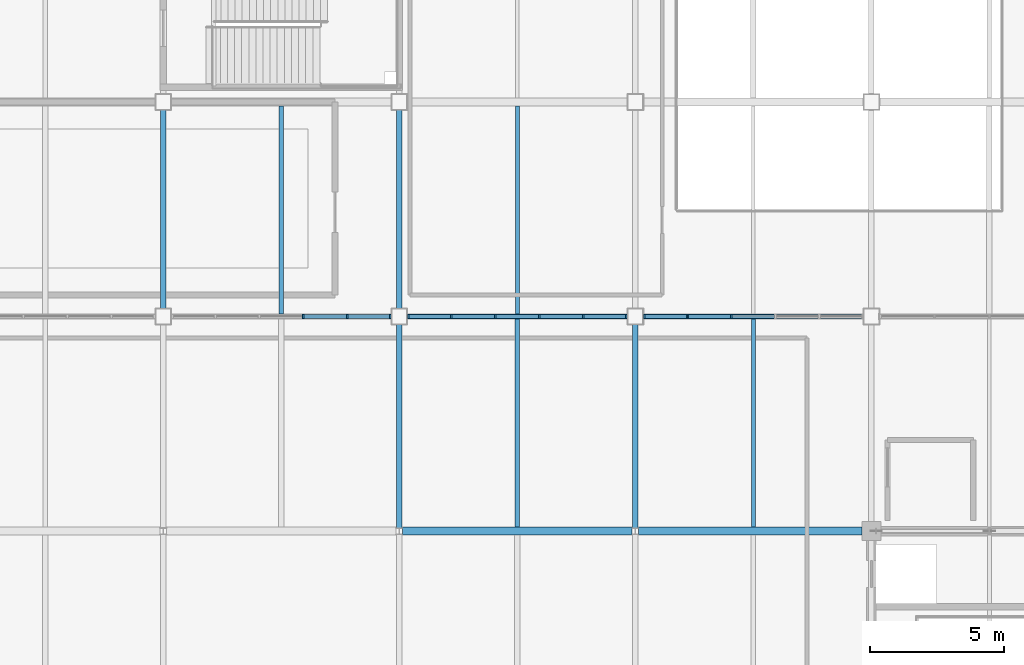
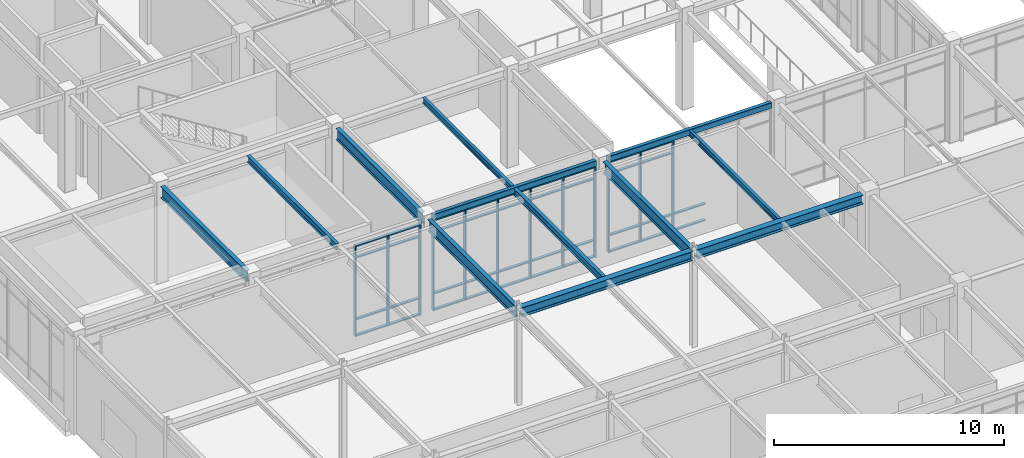
# One storey, part 29 of 184: 50 members, 12 beams, 3 elements without a shape of their own.
"""IFC4 building model written with IfcOpenShell, lengths in metres."""

from ifc_helpers import new_model, si_unit, direction, frame, origin, origin_2d, place, context, subcontext, project, spatial, rectangle, hollow_rectangle, i_section, extrude, material, material_profile, profile_set, type_object, element, aggregate, save


model = new_model("IFC4")

# Units and contexts
model_context = context("Model", 3, precision=1e-05, world=origin(), true_north=direction((0.0, 1.0)))
body_context = subcontext(model_context, "Body", "Model", "MODEL_VIEW")
ifc_project = project(units=[si_unit("LENGTHUNIT", "METRE"), si_unit("AREAUNIT", "SQUARE_METRE"), si_unit("VOLUMEUNIT", "CUBIC_METRE"), si_unit("PLANEANGLEUNIT", "RADIAN"), si_unit("MASSUNIT", "GRAM", prefix="KILO")], contexts=[model_context])

# Site, building, storey
site_placement = place(None, origin())
site = spatial("IfcSite", under=ifc_project, at=site_placement, CompositionType="ELEMENT")
building_placement = place(site_placement, origin())
building = spatial("IfcBuilding", under=site, at=building_placement, Name="Zhaolan Boulevard Law Courts", CompositionType="ELEMENT")
storey_placement = place(building_placement, frame((0.0, 0.0, 5.39990234375)))
storey = spatial("IfcBuildingStorey", under=building, at=storey_placement, Name="L01", CompositionType="ELEMENT", Elevation=5.39990234375)

# Curtain wall, members
ifc_material_1 = material(Name="Thermally broken aluminium and low-E glazing", Category="aluminium")
curtain_wall_type_1 = type_object("IfcCurtainWallType", Name="CURTAIN WALL M20", PredefinedType="USERDEFINED", material=ifc_material_1)
curtain_wall_1_placement = place(storey_placement, origin())
curtain_wall_1 = element("IfcCurtainWall", 1, at=curtain_wall_1_placement, inside=storey, type_object=curtain_wall_type_1, Name="Curtain Wall CW-L01-044", ObjectType="CURTAIN WALL", PredefinedType="USERDEFINED")
ifc_material_2 = material(Name="Fluorocarbon-coated aluminium 6063-T6", Category="aluminium")
ifc_material_profile_1 = material_profile(ifc_material_2, rectangle(XDim=0.179931640625, YDim=0.06494140625, at=origin_2d()), Name="AL65x180")
ifc_profile_set_1 = profile_set([ifc_material_profile_1], Name="Fluorocarbon-coated aluminium 6063-T6")
member_type_1 = type_object("IfcMemberType", Name="CWMULLION 65X180", PredefinedType="MULLION", material=ifc_profile_set_1)
member_1_placement = place(storey_placement, frame((17.265380859375, 30.0, 0.0), z_axis=(0.0, 0.0, 1.0), x_axis=(0.0, -1.0, 0.0)))
member_1 = element("IfcMember", 2, at=member_1_placement, type_object=member_type_1, Name="CW-L01-044 mullion 1", PredefinedType="MULLION", context=body_context, shape_type="SweptSolid", body=[
    extrude(rectangle(XDim=0.179931640625, YDim=0.06494140625, at=origin_2d()), origin(), (0.0, 0.0, 1.0), 4.822998046875),
])
member_2_placement = place(storey_placement, frame((15.65869140625, 30.0, 0.0), z_axis=(0.0, 0.0, 1.0), x_axis=(0.0, -1.0, 0.0)))
member_2 = element("IfcMember", 3, at=member_2_placement, type_object=member_type_1, Name="CW-L01-044 mullion 2", PredefinedType="MULLION", context=body_context, shape_type="SweptSolid", body=[
    extrude(rectangle(XDim=0.179931640625, YDim=0.06494140625, at=origin_2d()), origin(), (0.0, 0.0, 1.0), 4.822998046875),
])
member_3_placement = place(storey_placement, frame((14.01953125, 30.0, 0.0), z_axis=(0.0, 0.0, 1.0), x_axis=(0.0, -1.0, 0.0)))
member_3 = element("IfcMember", 4, at=member_3_placement, type_object=member_type_1, Name="CW-L01-044 mullion 3", PredefinedType="MULLION", context=body_context, shape_type="SweptSolid", body=[
    extrude(rectangle(XDim=0.179931640625, YDim=0.06494140625, at=origin_2d()), origin(), (0.0, 0.0, 1.0), 4.822998046875),
])

ifc_material_3 = material(Name="Thermally broken aluminium and low-E glazing", Category="aluminium")
curtain_wall_type_2 = type_object("IfcCurtainWallType", Name="CURTAIN WALL M21", PredefinedType="USERDEFINED", material=ifc_material_3)
curtain_wall_2_placement = place(storey_placement, origin())
curtain_wall_2 = element("IfcCurtainWall", 5, at=curtain_wall_2_placement, inside=storey, type_object=curtain_wall_type_2, Name="Curtain Wall CW-L01-045", ObjectType="CURTAIN WALL", PredefinedType="USERDEFINED")
member_4_placement = place(storey_placement, frame((26.0654296875, 30.0, 0.0), z_axis=(0.0, 0.0, 1.0), x_axis=(0.0, -1.0, 0.0)))
member_4 = element("IfcMember", 6, at=member_4_placement, type_object=member_type_1, Name="CW-L01-045 mullion 1", PredefinedType="MULLION", context=body_context, shape_type="SweptSolid", body=[
    extrude(rectangle(XDim=0.179931640625, YDim=0.06494140625, at=origin_2d()), origin(), (0.0, 0.0, 1.0), 4.822998046875),
])
member_5_placement = place(storey_placement, frame((24.458740234375, 30.0, 0.0), z_axis=(0.0, 0.0, 1.0), x_axis=(0.0, -1.0, 0.0)))
member_5 = element("IfcMember", 7, at=member_5_placement, type_object=member_type_1, Name="CW-L01-045 mullion 2", PredefinedType="MULLION", context=body_context, shape_type="SweptSolid", body=[
    extrude(rectangle(XDim=0.179931640625, YDim=0.06494140625, at=origin_2d()), origin(), (0.0, 0.0, 1.0), 4.822998046875),
])
member_6_placement = place(storey_placement, frame((22.819580078125, 30.0, 0.0), z_axis=(0.0, 0.0, 1.0), x_axis=(0.0, -1.0, 0.0)))
member_6 = element("IfcMember", 8, at=member_6_placement, type_object=member_type_1, Name="CW-L01-045 mullion 3", PredefinedType="MULLION", context=body_context, shape_type="SweptSolid", body=[
    extrude(rectangle(XDim=0.179931640625, YDim=0.06494140625, at=origin_2d()), origin(), (0.0, 0.0, 1.0), 4.822998046875),
])
member_7_placement = place(storey_placement, frame((21.180419921875, 30.0, 0.0), z_axis=(0.0, 0.0, 1.0), x_axis=(0.0, -1.0, 0.0)))
member_7 = element("IfcMember", 9, at=member_7_placement, type_object=member_type_1, Name="CW-L01-045 mullion 4", PredefinedType="MULLION", context=body_context, shape_type="SweptSolid", body=[
    extrude(rectangle(XDim=0.179931640625, YDim=0.06494140625, at=origin_2d()), origin(), (0.0, 0.0, 1.0), 4.822998046875),
])
member_8_placement = place(storey_placement, frame((19.541259765625, 30.0, 0.0), z_axis=(0.0, 0.0, 1.0), x_axis=(0.0, -1.0, 0.0)))
member_8 = element("IfcMember", 10, at=member_8_placement, type_object=member_type_1, Name="CW-L01-045 mullion 5", PredefinedType="MULLION", context=body_context, shape_type="SweptSolid", body=[
    extrude(rectangle(XDim=0.179931640625, YDim=0.06494140625, at=origin_2d()), origin(), (0.0, 0.0, 1.0), 4.822998046875),
])
member_9_placement = place(storey_placement, frame((17.9345703125, 30.0, 0.0), z_axis=(0.0, 0.0, 1.0), x_axis=(0.0, -1.0, 0.0)))
member_9 = element("IfcMember", 11, at=member_9_placement, type_object=member_type_1, Name="CW-L01-045 mullion 6", PredefinedType="MULLION", context=body_context, shape_type="SweptSolid", body=[
    extrude(rectangle(XDim=0.179931640625, YDim=0.06494140625, at=origin_2d()), origin(), (0.0, 0.0, 1.0), 4.822998046875),
])

ifc_material_4 = material(Name="Thermally broken aluminium and low-E glazing", Category="aluminium")
curtain_wall_type_3 = type_object("IfcCurtainWallType", Name="CURTAIN WALL M22", PredefinedType="USERDEFINED", material=ifc_material_4)
curtain_wall_3_placement = place(storey_placement, origin())
curtain_wall_3 = element("IfcCurtainWall", 12, at=curtain_wall_3_placement, inside=storey, type_object=curtain_wall_type_3, Name="Curtain Wall CW-L01-046", ObjectType="CURTAIN WALL", PredefinedType="USERDEFINED")
member_10_placement = place(storey_placement, frame((29.98046875, 30.0, 0.0), z_axis=(0.0, 0.0, 1.0), x_axis=(0.0, -1.0, 0.0)))
member_10 = element("IfcMember", 13, at=member_10_placement, type_object=member_type_1, Name="CW-L01-046 mullion 4", PredefinedType="MULLION", context=body_context, shape_type="SweptSolid", body=[
    extrude(rectangle(XDim=0.179931640625, YDim=0.06494140625, at=origin_2d()), origin(), (0.0, 0.0, 1.0), 4.822998046875),
])
member_11_placement = place(storey_placement, frame((28.34130859375, 30.0, 0.0), z_axis=(0.0, 0.0, 1.0), x_axis=(0.0, -1.0, 0.0)))
member_11 = element("IfcMember", 14, at=member_11_placement, type_object=member_type_1, Name="CW-L01-046 mullion 5", PredefinedType="MULLION", context=body_context, shape_type="SweptSolid", body=[
    extrude(rectangle(XDim=0.179931640625, YDim=0.06494140625, at=origin_2d()), origin(), (0.0, 0.0, 1.0), 4.822998046875),
])
member_12_placement = place(storey_placement, frame((26.734619140625, 30.0, 0.0), z_axis=(0.0, 0.0, 1.0), x_axis=(0.0, -1.0, 0.0)))
member_12 = element("IfcMember", 15, at=member_12_placement, type_object=member_type_1, Name="CW-L01-046 mullion 6", PredefinedType="MULLION", context=body_context, shape_type="SweptSolid", body=[
    extrude(rectangle(XDim=0.179931640625, YDim=0.06494140625, at=origin_2d()), origin(), (0.0, 0.0, 1.0), 4.822998046875),
])

# Member
ifc_material_5 = material(Name="Fluorocarbon-coated aluminium 6063-T6", Category="aluminium")
ifc_material_profile_2 = material_profile(ifc_material_5, rectangle(XDim=0.139892578125, YDim=0.06494140625, at=origin_2d()), Name="AL65x140")
ifc_profile_set_2 = profile_set([ifc_material_profile_2], Name="Fluorocarbon-coated aluminium 6063-T6")
member_type_2 = type_object("IfcMemberType", Name="CWTRANSOM 65X140", PredefinedType="USERDEFINED", material=ifc_profile_set_2)
member_13_placement = place(storey_placement, frame((17.23291015625, 30.0, 0.03271484375), z_axis=(-1.0, 0.0, 0.0), x_axis=(0.0, -1.0, 0.0)))
member_13 = element("IfcMember", 16, at=member_13_placement, type_object=member_type_2, Name="CW-L01-044 transom 1.1", ObjectType="TRANSOM", PredefinedType="USERDEFINED", context=body_context, shape_type="SweptSolid", body=[
    extrude(rectangle(XDim=0.139892578125, YDim=0.06494140625, at=origin_2d()), origin(), (0.0, 0.0, 1.0), 1.54150390625),
])

member_14_placement = place(storey_placement, frame((17.23291015625, 30.0, 0.900146484375), z_axis=(-1.0, 0.0, 0.0), x_axis=(0.0, -1.0, 0.0)))
member_14 = element("IfcMember", 17, at=member_14_placement, type_object=member_type_2, Name="CW-L01-044 transom 1.2", ObjectType="TRANSOM", PredefinedType="USERDEFINED", context=body_context, shape_type="SweptSolid", body=[
    extrude(rectangle(XDim=0.139892578125, YDim=0.06494140625, at=origin_2d()), origin(), (0.0, 0.0, 1.0), 1.54150390625),
])

member_15_placement = place(storey_placement, frame((17.23291015625, 30.0, 4.173095703125), z_axis=(-1.0, 0.0, 0.0), x_axis=(0.0, -1.0, 0.0)))
member_15 = element("IfcMember", 18, at=member_15_placement, type_object=member_type_2, Name="CW-L01-044 transom 1.3", ObjectType="TRANSOM", PredefinedType="USERDEFINED", context=body_context, shape_type="SweptSolid", body=[
    extrude(rectangle(XDim=0.139892578125, YDim=0.06494140625, at=origin_2d()), origin(), (0.0, 0.0, 1.0), 1.54150390625),
])

member_16_placement = place(storey_placement, frame((17.23291015625, 30.0, 4.79052734375), z_axis=(-1.0, 0.0, 0.0), x_axis=(0.0, -1.0, 0.0)))
member_16 = element("IfcMember", 19, at=member_16_placement, type_object=member_type_2, Name="CW-L01-044 transom 1.4", ObjectType="TRANSOM", PredefinedType="USERDEFINED", context=body_context, shape_type="SweptSolid", body=[
    extrude(rectangle(XDim=0.139892578125, YDim=0.06494140625, at=origin_2d()), origin(), (0.0, 0.0, 1.0), 1.54150390625),
])

member_17_placement = place(storey_placement, frame((15.626220703125, 30.0, 0.03271484375), z_axis=(-1.0, 0.0, 0.0), x_axis=(0.0, -1.0, 0.0)))
member_17 = element("IfcMember", 20, at=member_17_placement, type_object=member_type_2, Name="CW-L01-044 transom 2.1", ObjectType="TRANSOM", PredefinedType="USERDEFINED", context=body_context, shape_type="SweptSolid", body=[
    extrude(rectangle(XDim=0.139892578125, YDim=0.06494140625, at=origin_2d()), origin(), (0.0, 0.0, 1.0), 1.57421875),
])

member_18_placement = place(storey_placement, frame((15.626220703125, 30.0, 0.900146484375), z_axis=(-1.0, 0.0, 0.0), x_axis=(0.0, -1.0, 0.0)))
member_18 = element("IfcMember", 21, at=member_18_placement, type_object=member_type_2, Name="CW-L01-044 transom 2.2", ObjectType="TRANSOM", PredefinedType="USERDEFINED", context=body_context, shape_type="SweptSolid", body=[
    extrude(rectangle(XDim=0.139892578125, YDim=0.06494140625, at=origin_2d()), origin(), (0.0, 0.0, 1.0), 1.57421875),
])

member_19_placement = place(storey_placement, frame((15.626220703125, 30.0, 4.173095703125), z_axis=(-1.0, 0.0, 0.0), x_axis=(0.0, -1.0, 0.0)))
member_19 = element("IfcMember", 22, at=member_19_placement, type_object=member_type_2, Name="CW-L01-044 transom 2.3", ObjectType="TRANSOM", PredefinedType="USERDEFINED", context=body_context, shape_type="SweptSolid", body=[
    extrude(rectangle(XDim=0.139892578125, YDim=0.06494140625, at=origin_2d()), origin(), (0.0, 0.0, 1.0), 1.57421875),
])

member_20_placement = place(storey_placement, frame((15.626220703125, 30.0, 4.79052734375), z_axis=(-1.0, 0.0, 0.0), x_axis=(0.0, -1.0, 0.0)))
member_20 = element("IfcMember", 23, at=member_20_placement, type_object=member_type_2, Name="CW-L01-044 transom 2.4", ObjectType="TRANSOM", PredefinedType="USERDEFINED", context=body_context, shape_type="SweptSolid", body=[
    extrude(rectangle(XDim=0.139892578125, YDim=0.06494140625, at=origin_2d()), origin(), (0.0, 0.0, 1.0), 1.57421875),
])

aggregate(curtain_wall_1, [member_1, member_2, member_3, member_13, member_14, member_15, member_16, member_17, member_18, member_19, member_20])

member_21_placement = place(storey_placement, frame((26.032958984375, 30.0, 0.03271484375), z_axis=(-1.0, 0.0, 0.0), x_axis=(0.0, -1.0, 0.0)))
member_21 = element("IfcMember", 24, at=member_21_placement, type_object=member_type_2, Name="CW-L01-045 transom 1.1", ObjectType="TRANSOM", PredefinedType="USERDEFINED", context=body_context, shape_type="SweptSolid", body=[
    extrude(rectangle(XDim=0.139892578125, YDim=0.06494140625, at=origin_2d()), origin(), (0.0, 0.0, 1.0), 1.541748046875),
])

member_22_placement = place(storey_placement, frame((26.032958984375, 30.0, 0.900146484375), z_axis=(-1.0, 0.0, 0.0), x_axis=(0.0, -1.0, 0.0)))
member_22 = element("IfcMember", 25, at=member_22_placement, type_object=member_type_2, Name="CW-L01-045 transom 1.2", ObjectType="TRANSOM", PredefinedType="USERDEFINED", context=body_context, shape_type="SweptSolid", body=[
    extrude(rectangle(XDim=0.139892578125, YDim=0.06494140625, at=origin_2d()), origin(), (0.0, 0.0, 1.0), 1.541748046875),
])

member_23_placement = place(storey_placement, frame((26.032958984375, 30.0, 4.173095703125), z_axis=(-1.0, 0.0, 0.0), x_axis=(0.0, -1.0, 0.0)))
member_23 = element("IfcMember", 26, at=member_23_placement, type_object=member_type_2, Name="CW-L01-045 transom 1.3", ObjectType="TRANSOM", PredefinedType="USERDEFINED", context=body_context, shape_type="SweptSolid", body=[
    extrude(rectangle(XDim=0.139892578125, YDim=0.06494140625, at=origin_2d()), origin(), (0.0, 0.0, 1.0), 1.541748046875),
])

member_24_placement = place(storey_placement, frame((26.032958984375, 30.0, 4.79052734375), z_axis=(-1.0, 0.0, 0.0), x_axis=(0.0, -1.0, 0.0)))
member_24 = element("IfcMember", 27, at=member_24_placement, type_object=member_type_2, Name="CW-L01-045 transom 1.4", ObjectType="TRANSOM", PredefinedType="USERDEFINED", context=body_context, shape_type="SweptSolid", body=[
    extrude(rectangle(XDim=0.139892578125, YDim=0.06494140625, at=origin_2d()), origin(), (0.0, 0.0, 1.0), 1.541748046875),
])

member_25_placement = place(storey_placement, frame((24.42626953125, 30.0, 0.03271484375), z_axis=(-1.0, 0.0, 0.0), x_axis=(0.0, -1.0, 0.0)))
member_25 = element("IfcMember", 28, at=member_25_placement, type_object=member_type_2, Name="CW-L01-045 transom 2.1", ObjectType="TRANSOM", PredefinedType="USERDEFINED", context=body_context, shape_type="SweptSolid", body=[
    extrude(rectangle(XDim=0.139892578125, YDim=0.06494140625, at=origin_2d()), origin(), (0.0, 0.0, 1.0), 1.57421875),
])

member_26_placement = place(storey_placement, frame((24.42626953125, 30.0, 0.900146484375), z_axis=(-1.0, 0.0, 0.0), x_axis=(0.0, -1.0, 0.0)))
member_26 = element("IfcMember", 29, at=member_26_placement, type_object=member_type_2, Name="CW-L01-045 transom 2.2", ObjectType="TRANSOM", PredefinedType="USERDEFINED", context=body_context, shape_type="SweptSolid", body=[
    extrude(rectangle(XDim=0.139892578125, YDim=0.06494140625, at=origin_2d()), origin(), (0.0, 0.0, 1.0), 1.57421875),
])

member_27_placement = place(storey_placement, frame((24.42626953125, 30.0, 4.173095703125), z_axis=(-1.0, 0.0, 0.0), x_axis=(0.0, -1.0, 0.0)))
member_27 = element("IfcMember", 30, at=member_27_placement, type_object=member_type_2, Name="CW-L01-045 transom 2.3", ObjectType="TRANSOM", PredefinedType="USERDEFINED", context=body_context, shape_type="SweptSolid", body=[
    extrude(rectangle(XDim=0.139892578125, YDim=0.06494140625, at=origin_2d()), origin(), (0.0, 0.0, 1.0), 1.57421875),
])

member_28_placement = place(storey_placement, frame((24.42626953125, 30.0, 4.79052734375), z_axis=(-1.0, 0.0, 0.0), x_axis=(0.0, -1.0, 0.0)))
member_28 = element("IfcMember", 31, at=member_28_placement, type_object=member_type_2, Name="CW-L01-045 transom 2.4", ObjectType="TRANSOM", PredefinedType="USERDEFINED", context=body_context, shape_type="SweptSolid", body=[
    extrude(rectangle(XDim=0.139892578125, YDim=0.06494140625, at=origin_2d()), origin(), (0.0, 0.0, 1.0), 1.57421875),
])

member_29_placement = place(storey_placement, frame((22.787109375, 30.0, 0.03271484375), z_axis=(-1.0, 0.0, 0.0), x_axis=(0.0, -1.0, 0.0)))
member_29 = element("IfcMember", 32, at=member_29_placement, type_object=member_type_2, Name="CW-L01-045 transom 3.1", ObjectType="TRANSOM", PredefinedType="USERDEFINED", context=body_context, shape_type="SweptSolid", body=[
    extrude(rectangle(XDim=0.139892578125, YDim=0.06494140625, at=origin_2d()), origin(), (0.0, 0.0, 1.0), 1.57421875),
])

member_30_placement = place(storey_placement, frame((22.787109375, 30.0, 0.900146484375), z_axis=(-1.0, 0.0, 0.0), x_axis=(0.0, -1.0, 0.0)))
member_30 = element("IfcMember", 33, at=member_30_placement, type_object=member_type_2, Name="CW-L01-045 transom 3.2", ObjectType="TRANSOM", PredefinedType="USERDEFINED", context=body_context, shape_type="SweptSolid", body=[
    extrude(rectangle(XDim=0.139892578125, YDim=0.06494140625, at=origin_2d()), origin(), (0.0, 0.0, 1.0), 1.57421875),
])

member_31_placement = place(storey_placement, frame((22.787109375, 30.0, 4.173095703125), z_axis=(-1.0, 0.0, 0.0), x_axis=(0.0, -1.0, 0.0)))
member_31 = element("IfcMember", 34, at=member_31_placement, type_object=member_type_2, Name="CW-L01-045 transom 3.3", ObjectType="TRANSOM", PredefinedType="USERDEFINED", context=body_context, shape_type="SweptSolid", body=[
    extrude(rectangle(XDim=0.139892578125, YDim=0.06494140625, at=origin_2d()), origin(), (0.0, 0.0, 1.0), 1.57421875),
])

member_32_placement = place(storey_placement, frame((22.787109375, 30.0, 4.79052734375), z_axis=(-1.0, 0.0, 0.0), x_axis=(0.0, -1.0, 0.0)))
member_32 = element("IfcMember", 35, at=member_32_placement, type_object=member_type_2, Name="CW-L01-045 transom 3.4", ObjectType="TRANSOM", PredefinedType="USERDEFINED", context=body_context, shape_type="SweptSolid", body=[
    extrude(rectangle(XDim=0.139892578125, YDim=0.06494140625, at=origin_2d()), origin(), (0.0, 0.0, 1.0), 1.57421875),
])

member_33_placement = place(storey_placement, frame((21.14794921875, 30.0, 0.03271484375), z_axis=(-1.0, 0.0, 0.0), x_axis=(0.0, -1.0, 0.0)))
member_33 = element("IfcMember", 36, at=member_33_placement, type_object=member_type_2, Name="CW-L01-045 transom 4.1", ObjectType="TRANSOM", PredefinedType="USERDEFINED", context=body_context, shape_type="SweptSolid", body=[
    extrude(rectangle(XDim=0.139892578125, YDim=0.06494140625, at=origin_2d()), origin(), (0.0, 0.0, 1.0), 1.57421875),
])

member_34_placement = place(storey_placement, frame((21.14794921875, 30.0, 0.900146484375), z_axis=(-1.0, 0.0, 0.0), x_axis=(0.0, -1.0, 0.0)))
member_34 = element("IfcMember", 37, at=member_34_placement, type_object=member_type_2, Name="CW-L01-045 transom 4.2", ObjectType="TRANSOM", PredefinedType="USERDEFINED", context=body_context, shape_type="SweptSolid", body=[
    extrude(rectangle(XDim=0.139892578125, YDim=0.06494140625, at=origin_2d()), origin(), (0.0, 0.0, 1.0), 1.57421875),
])

member_35_placement = place(storey_placement, frame((21.14794921875, 30.0, 4.173095703125), z_axis=(-1.0, 0.0, 0.0), x_axis=(0.0, -1.0, 0.0)))
member_35 = element("IfcMember", 38, at=member_35_placement, type_object=member_type_2, Name="CW-L01-045 transom 4.3", ObjectType="TRANSOM", PredefinedType="USERDEFINED", context=body_context, shape_type="SweptSolid", body=[
    extrude(rectangle(XDim=0.139892578125, YDim=0.06494140625, at=origin_2d()), origin(), (0.0, 0.0, 1.0), 1.57421875),
])

member_36_placement = place(storey_placement, frame((21.14794921875, 30.0, 4.79052734375), z_axis=(-1.0, 0.0, 0.0), x_axis=(0.0, -1.0, 0.0)))
member_36 = element("IfcMember", 39, at=member_36_placement, type_object=member_type_2, Name="CW-L01-045 transom 4.4", ObjectType="TRANSOM", PredefinedType="USERDEFINED", context=body_context, shape_type="SweptSolid", body=[
    extrude(rectangle(XDim=0.139892578125, YDim=0.06494140625, at=origin_2d()), origin(), (0.0, 0.0, 1.0), 1.57421875),
])

member_37_placement = place(storey_placement, frame((19.5087890625, 30.0, 0.03271484375), z_axis=(-1.0, 0.0, 0.0), x_axis=(0.0, -1.0, 0.0)))
member_37 = element("IfcMember", 40, at=member_37_placement, type_object=member_type_2, Name="CW-L01-045 transom 5.1", ObjectType="TRANSOM", PredefinedType="USERDEFINED", context=body_context, shape_type="SweptSolid", body=[
    extrude(rectangle(XDim=0.139892578125, YDim=0.06494140625, at=origin_2d()), origin(), (0.0, 0.0, 1.0), 1.541748046875),
])

member_38_placement = place(storey_placement, frame((19.5087890625, 30.0, 0.900146484375), z_axis=(-1.0, 0.0, 0.0), x_axis=(0.0, -1.0, 0.0)))
member_38 = element("IfcMember", 41, at=member_38_placement, type_object=member_type_2, Name="CW-L01-045 transom 5.2", ObjectType="TRANSOM", PredefinedType="USERDEFINED", context=body_context, shape_type="SweptSolid", body=[
    extrude(rectangle(XDim=0.139892578125, YDim=0.06494140625, at=origin_2d()), origin(), (0.0, 0.0, 1.0), 1.541748046875),
])

member_39_placement = place(storey_placement, frame((19.5087890625, 30.0, 4.173095703125), z_axis=(-1.0, 0.0, 0.0), x_axis=(0.0, -1.0, 0.0)))
member_39 = element("IfcMember", 42, at=member_39_placement, type_object=member_type_2, Name="CW-L01-045 transom 5.3", ObjectType="TRANSOM", PredefinedType="USERDEFINED", context=body_context, shape_type="SweptSolid", body=[
    extrude(rectangle(XDim=0.139892578125, YDim=0.06494140625, at=origin_2d()), origin(), (0.0, 0.0, 1.0), 1.541748046875),
])

member_40_placement = place(storey_placement, frame((19.5087890625, 30.0, 4.79052734375), z_axis=(-1.0, 0.0, 0.0), x_axis=(0.0, -1.0, 0.0)))
member_40 = element("IfcMember", 43, at=member_40_placement, type_object=member_type_2, Name="CW-L01-045 transom 5.4", ObjectType="TRANSOM", PredefinedType="USERDEFINED", context=body_context, shape_type="SweptSolid", body=[
    extrude(rectangle(XDim=0.139892578125, YDim=0.06494140625, at=origin_2d()), origin(), (0.0, 0.0, 1.0), 1.541748046875),
])

aggregate(curtain_wall_2, [member_4, member_5, member_6, member_7, member_8, member_9, member_21, member_22, member_23, member_24, member_25, member_26, member_27, member_28, member_29, member_30, member_31, member_32, member_33, member_34, member_35, member_36, member_37, member_38, member_39, member_40])

member_41_placement = place(storey_placement, frame((31.587158203125, 30.0, 0.03271484375), z_axis=(-1.0, 0.0, 0.0), x_axis=(0.0, -1.0, 0.0)))
member_41 = element("IfcMember", 44, at=member_41_placement, type_object=member_type_2, Name="CW-L01-046 transom 3.1", ObjectType="TRANSOM", PredefinedType="USERDEFINED", context=body_context, shape_type="SweptSolid", body=[
    extrude(rectangle(XDim=0.139892578125, YDim=0.06494140625, at=origin_2d()), origin(), (0.0, 0.0, 1.0), 1.57421875),
])

member_42_placement = place(storey_placement, frame((31.587158203125, 30.0, 0.900146484375), z_axis=(-1.0, 0.0, 0.0), x_axis=(0.0, -1.0, 0.0)))
member_42 = element("IfcMember", 45, at=member_42_placement, type_object=member_type_2, Name="CW-L01-046 transom 3.2", ObjectType="TRANSOM", PredefinedType="USERDEFINED", context=body_context, shape_type="SweptSolid", body=[
    extrude(rectangle(XDim=0.139892578125, YDim=0.06494140625, at=origin_2d()), origin(), (0.0, 0.0, 1.0), 1.57421875),
])

member_43_placement = place(storey_placement, frame((29.947998046875, 30.0, 0.03271484375), z_axis=(-1.0, 0.0, 0.0), x_axis=(0.0, -1.0, 0.0)))
member_43 = element("IfcMember", 46, at=member_43_placement, type_object=member_type_2, Name="CW-L01-046 transom 4.1", ObjectType="TRANSOM", PredefinedType="USERDEFINED", context=body_context, shape_type="SweptSolid", body=[
    extrude(rectangle(XDim=0.139892578125, YDim=0.06494140625, at=origin_2d()), origin(), (0.0, 0.0, 1.0), 1.57421875),
])

member_44_placement = place(storey_placement, frame((29.947998046875, 30.0, 0.900146484375), z_axis=(-1.0, 0.0, 0.0), x_axis=(0.0, -1.0, 0.0)))
member_44 = element("IfcMember", 47, at=member_44_placement, type_object=member_type_2, Name="CW-L01-046 transom 4.2", ObjectType="TRANSOM", PredefinedType="USERDEFINED", context=body_context, shape_type="SweptSolid", body=[
    extrude(rectangle(XDim=0.139892578125, YDim=0.06494140625, at=origin_2d()), origin(), (0.0, 0.0, 1.0), 1.57421875),
])

member_45_placement = place(storey_placement, frame((29.947998046875, 30.0, 4.173095703125), z_axis=(-1.0, 0.0, 0.0), x_axis=(0.0, -1.0, 0.0)))
member_45 = element("IfcMember", 48, at=member_45_placement, type_object=member_type_2, Name="CW-L01-046 transom 4.3", ObjectType="TRANSOM", PredefinedType="USERDEFINED", context=body_context, shape_type="SweptSolid", body=[
    extrude(rectangle(XDim=0.139892578125, YDim=0.06494140625, at=origin_2d()), origin(), (0.0, 0.0, 1.0), 1.57421875),
])

member_46_placement = place(storey_placement, frame((29.947998046875, 30.0, 4.79052734375), z_axis=(-1.0, 0.0, 0.0), x_axis=(0.0, -1.0, 0.0)))
member_46 = element("IfcMember", 49, at=member_46_placement, type_object=member_type_2, Name="CW-L01-046 transom 4.4", ObjectType="TRANSOM", PredefinedType="USERDEFINED", context=body_context, shape_type="SweptSolid", body=[
    extrude(rectangle(XDim=0.139892578125, YDim=0.06494140625, at=origin_2d()), origin(), (0.0, 0.0, 1.0), 1.57421875),
])

member_47_placement = place(storey_placement, frame((28.30859375, 30.0, 0.03271484375), z_axis=(-1.0, 0.0, 0.0), x_axis=(0.0, -1.0, 0.0)))
member_47 = element("IfcMember", 50, at=member_47_placement, type_object=member_type_2, Name="CW-L01-046 transom 5.1", ObjectType="TRANSOM", PredefinedType="USERDEFINED", context=body_context, shape_type="SweptSolid", body=[
    extrude(rectangle(XDim=0.139892578125, YDim=0.06494140625, at=origin_2d()), origin(), (0.0, 0.0, 1.0), 1.54150390625),
])

member_48_placement = place(storey_placement, frame((28.30859375, 30.0, 0.900146484375), z_axis=(-1.0, 0.0, 0.0), x_axis=(0.0, -1.0, 0.0)))
member_48 = element("IfcMember", 51, at=member_48_placement, type_object=member_type_2, Name="CW-L01-046 transom 5.2", ObjectType="TRANSOM", PredefinedType="USERDEFINED", context=body_context, shape_type="SweptSolid", body=[
    extrude(rectangle(XDim=0.139892578125, YDim=0.06494140625, at=origin_2d()), origin(), (0.0, 0.0, 1.0), 1.54150390625),
])

member_49_placement = place(storey_placement, frame((28.30859375, 30.0, 4.173095703125), z_axis=(-1.0, 0.0, 0.0), x_axis=(0.0, -1.0, 0.0)))
member_49 = element("IfcMember", 52, at=member_49_placement, type_object=member_type_2, Name="CW-L01-046 transom 5.3", ObjectType="TRANSOM", PredefinedType="USERDEFINED", context=body_context, shape_type="SweptSolid", body=[
    extrude(rectangle(XDim=0.139892578125, YDim=0.06494140625, at=origin_2d()), origin(), (0.0, 0.0, 1.0), 1.54150390625),
])

member_50_placement = place(storey_placement, frame((28.30859375, 30.0, 4.79052734375), z_axis=(-1.0, 0.0, 0.0), x_axis=(0.0, -1.0, 0.0)))
member_50 = element("IfcMember", 53, at=member_50_placement, type_object=member_type_2, Name="CW-L01-046 transom 5.4", ObjectType="TRANSOM", PredefinedType="USERDEFINED", context=body_context, shape_type="SweptSolid", body=[
    extrude(rectangle(XDim=0.139892578125, YDim=0.06494140625, at=origin_2d()), origin(), (0.0, 0.0, 1.0), 1.54150390625),
])

aggregate(curtain_wall_3, [member_10, member_11, member_12, member_41, member_42, member_43, member_44, member_45, member_46, member_47, member_48, member_49, member_50])

# Beams
ifc_material_6 = material(Name="Structural steel Q355B", Category="steel")
ifc_material_profile_3 = material_profile(ifc_material_6, i_section(OverallWidth=0.300048828125, OverallDepth=0.488037109375, WebThickness=0.010986328125, FlangeThickness=0.01806640625, FilletRadius=0.02197265625, at=origin_2d()), Name="HM488x300")
ifc_profile_set_3 = profile_set([ifc_material_profile_3], Name="Structural steel Q355B")
beam_type_1 = type_object("IfcBeamType", Name="GIRDER HM500", PredefinedType="BEAM", material=ifc_profile_set_3)
beam_1_placement = place(storey_placement, frame((17.720947265625, 22.0, 4.89404296875), z_axis=(1.0, 0.0, 0.0), x_axis=(0.0, 1.0, 0.0)))
element("IfcBeam", 54, at=beam_1_placement, inside=storey, type_object=beam_type_1, Name="Beam BX-L02-3-4-D", PredefinedType="BEAM", context=body_context, shape_type="SweptSolid", body=[
    extrude(i_section(OverallWidth=0.300048828125, OverallDepth=0.488037109375, WebThickness=0.010986328125, FlangeThickness=0.01806640625, FilletRadius=0.02197265625, at=origin_2d()), origin(), (0.0, 0.0, 1.0), 8.55810546875),
])
beam_2_placement = place(storey_placement, frame((26.52099609375, 22.0, 4.89404296875), z_axis=(1.0, 0.0, 0.0), x_axis=(0.0, 1.0, 0.0)))
element("IfcBeam", 55, at=beam_2_placement, inside=storey, type_object=beam_type_1, Name="Beam BX-L02-4-5-D", PredefinedType="BEAM", context=body_context, shape_type="SweptSolid", body=[
    extrude(i_section(OverallWidth=0.300048828125, OverallDepth=0.488037109375, WebThickness=0.010986328125, FlangeThickness=0.01806640625, FilletRadius=0.02197265625, at=origin_2d()), origin(), (0.0, 0.0, 1.0), 8.3330078125),
])
ifc_material_7 = material(Name="Structural steel Q355B", Category="steel")
ifc_material_profile_4 = material_profile(ifc_material_7, i_section(OverallWidth=0.199951171875, OverallDepth=0.60009765625, WebThickness=0.010986328125, FlangeThickness=0.01708984375, FilletRadius=0.02001953125, at=origin_2d()), Name="HN600x200")
ifc_profile_set_4 = profile_set([ifc_material_profile_4], Name="Structural steel Q355B")
beam_type_2 = type_object("IfcBeamType", Name="GIRDER HN600", PredefinedType="BEAM", material=ifc_profile_set_4)
beam_3_placement = place(storey_placement, frame((8.800048828125, 30.2958984375, 4.838134765625), z_axis=(0.0, 1.0, 0.0), x_axis=(-1.0, 0.0, 0.0)))
element("IfcBeam", 56, at=beam_3_placement, inside=storey, type_object=beam_type_2, Name="Beam BY-L02-2-E-F", PredefinedType="BEAM", context=body_context, shape_type="SweptSolid", body=[
    extrude(i_section(OverallWidth=0.199951171875, OverallDepth=0.60009765625, WebThickness=0.010986328125, FlangeThickness=0.01708984375, FilletRadius=0.02001953125, at=origin_2d()), origin(), (0.0, 0.0, 1.0), 7.408203125),
])
beam_4_placement = place(storey_placement, frame((17.60009765625, 22.12109375, 4.838134765625), z_axis=(0.0, 1.0, 0.0), x_axis=(-1.0, 0.0, 0.0)))
element("IfcBeam", 57, at=beam_4_placement, inside=storey, type_object=beam_type_2, Name="Beam BY-L02-3-D-E", PredefinedType="BEAM", context=body_context, shape_type="SweptSolid", body=[
    extrude(i_section(OverallWidth=0.199951171875, OverallDepth=0.60009765625, WebThickness=0.010986328125, FlangeThickness=0.01708984375, FilletRadius=0.02001953125, at=origin_2d()), origin(), (0.0, 0.0, 1.0), 7.5830078125),
])
beam_5_placement = place(storey_placement, frame((17.60009765625, 30.2958984375, 4.838134765625), z_axis=(0.0, 1.0, 0.0), x_axis=(-1.0, 0.0, 0.0)))
element("IfcBeam", 58, at=beam_5_placement, inside=storey, type_object=beam_type_2, Name="Beam BY-L02-3-E-F", PredefinedType="BEAM", context=body_context, shape_type="SweptSolid", body=[
    extrude(i_section(OverallWidth=0.199951171875, OverallDepth=0.60009765625, WebThickness=0.010986328125, FlangeThickness=0.01708984375, FilletRadius=0.02001953125, at=origin_2d()), origin(), (0.0, 0.0, 1.0), 7.408203125),
])
beam_6_placement = place(storey_placement, frame((26.39990234375, 22.12109375, 4.838134765625), z_axis=(0.0, 1.0, 0.0), x_axis=(-1.0, 0.0, 0.0)))
element("IfcBeam", 59, at=beam_6_placement, inside=storey, type_object=beam_type_2, Name="Beam BY-L02-4-D-E", PredefinedType="BEAM", context=body_context, shape_type="SweptSolid", body=[
    extrude(i_section(OverallWidth=0.199951171875, OverallDepth=0.60009765625, WebThickness=0.010986328125, FlangeThickness=0.01708984375, FilletRadius=0.02001953125, at=origin_2d()), origin(), (0.0, 0.0, 1.0), 7.5830078125),
])
ifc_material_8 = material(Name="Structural steel Q355B", Category="steel")
ifc_material_profile_5 = material_profile(ifc_material_8, i_section(OverallWidth=0.14990234375, OverallDepth=0.300048828125, WebThickness=0.006591796875, FlangeThickness=0.009033203125, FilletRadius=0.010986328125, at=origin_2d()), Name="HN300x150")
ifc_profile_set_5 = profile_set([ifc_material_profile_5], Name="Structural steel Q355B")
beam_type_3 = type_object("IfcBeamType", Name="JOIST HN300", PredefinedType="JOIST", material=ifc_profile_set_5)
for number, where, z_axis, x_axis, name in (
    (60, (22.0, 30.095947265625, 4.988037109375), (0.0, 1.0, 0.0), (-1.0, 0.0, 0.0), "Composite Joist J-L02-3E"),
    (61, (30.800048828125, 22.14599609375, 4.988037109375), (0.0, 1.0, 0.0), (-1.0, 0.0, 0.0), "Composite Joist J-L02-4D"),
):
    element("IfcBeam", number, at=place(storey_placement, frame(where, z_axis=z_axis, x_axis=x_axis)), inside=storey, type_object=beam_type_3, Name=name, PredefinedType="JOIST", context=body_context, shape_type="SweptSolid", body=[
        extrude(i_section(OverallWidth=0.14990234375, OverallDepth=0.300048828125, WebThickness=0.006591796875, FlangeThickness=0.009033203125, FilletRadius=0.010986328125, at=origin_2d()), origin(), (0.0, 0.0, 1.0), 7.758056640625),
    ])
ifc_material_9 = material(Name="Structural steel Q355B", Category="steel")
ifc_material_profile_6 = material_profile(ifc_material_9, i_section(OverallWidth=0.175048828125, OverallDepth=0.35009765625, WebThickness=0.007080078125, FlangeThickness=0.010986328125, FilletRadius=0.012939453125, at=origin_2d()), Name="HN350x175")
ifc_profile_set_6 = profile_set([ifc_material_profile_6], Name="Structural steel Q355B")
beam_type_4 = type_object("IfcBeamType", Name="JOIST HN350", PredefinedType="JOIST", material=ifc_profile_set_6)
for number, where, z_axis, x_axis, name in (
    (62, (13.199951171875, 30.095947265625, 4.963134765625), (0.0, 1.0, 0.0), (-1.0, 0.0, 0.0), "Composite Joist J-L02-2E"),
    (63, (22.0, 22.14599609375, 4.963134765625), (0.0, 1.0, 0.0), (-1.0, 0.0, 0.0), "Composite Joist J-L02-3D"),
):
    element("IfcBeam", number, at=place(storey_placement, frame(where, z_axis=z_axis, x_axis=x_axis)), inside=storey, type_object=beam_type_4, Name=name, PredefinedType="JOIST", context=body_context, shape_type="SweptSolid", body=[
        extrude(i_section(OverallWidth=0.175048828125, OverallDepth=0.35009765625, WebThickness=0.007080078125, FlangeThickness=0.010986328125, FilletRadius=0.012939453125, at=origin_2d()), origin(), (0.0, 0.0, 1.0), 7.758056640625),
    ])
ifc_material_10 = material(Name="Structural steel Q355B", Category="steel")
ifc_material_profile_7 = material_profile(ifc_material_10, hollow_rectangle(XDim=0.199951171875, YDim=0.300048828125, WallThickness=0.011962890625, InnerFilletRadius=0.011962890625, OuterFilletRadius=0.02392578125, at=origin_2d()), Name="HSS300x200x12")
ifc_profile_set_7 = profile_set([ifc_material_profile_7], Name="Structural steel Q355B")
beam_type_5 = type_object("IfcBeamType", Name="SPANDREL HSS300", PredefinedType="SPANDREL", material=ifc_profile_set_7)
for number, where, z_axis, x_axis, name in (
    (64, (17.89599609375, 30.0, 4.988037109375), (1.0, 0.0, 0.0), (0.0, 1.0, 0.0), "Beam BX-L02-3-4-E"),
    (65, (26.696044921875, 30.0, 4.988037109375), (1.0, 0.0, 0.0), (0.0, 1.0, 0.0), "Beam BX-L02-4-5-E"),
):
    element("IfcBeam", number, at=place(storey_placement, frame(where, z_axis=z_axis, x_axis=x_axis)), inside=storey, type_object=beam_type_5, Name=name, PredefinedType="SPANDREL", context=body_context, shape_type="SweptSolid", body=[
        extrude(hollow_rectangle(XDim=0.199951171875, YDim=0.300048828125, WallThickness=0.011962890625, InnerFilletRadius=0.011962890625, OuterFilletRadius=0.02392578125, at=origin_2d()), origin(), (0.0, 0.0, 1.0), 8.2080078125),
    ])

save(model, "model.ifc")
